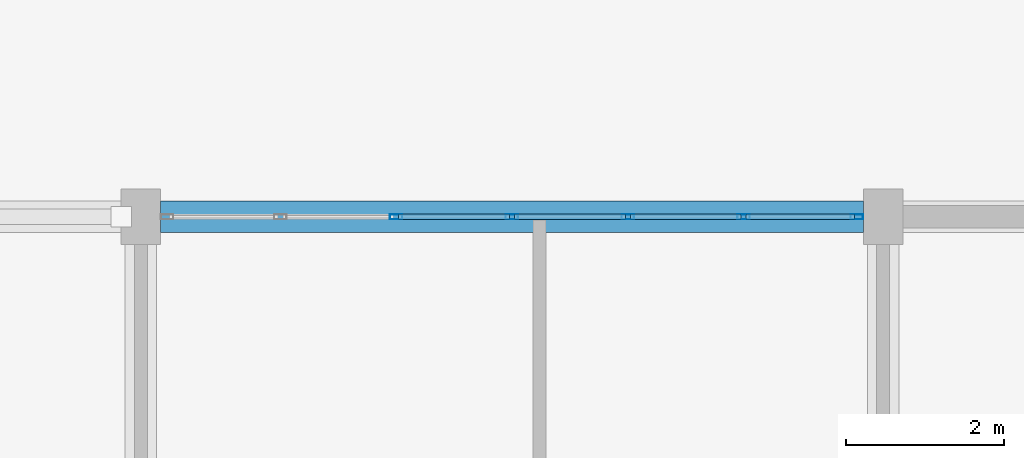
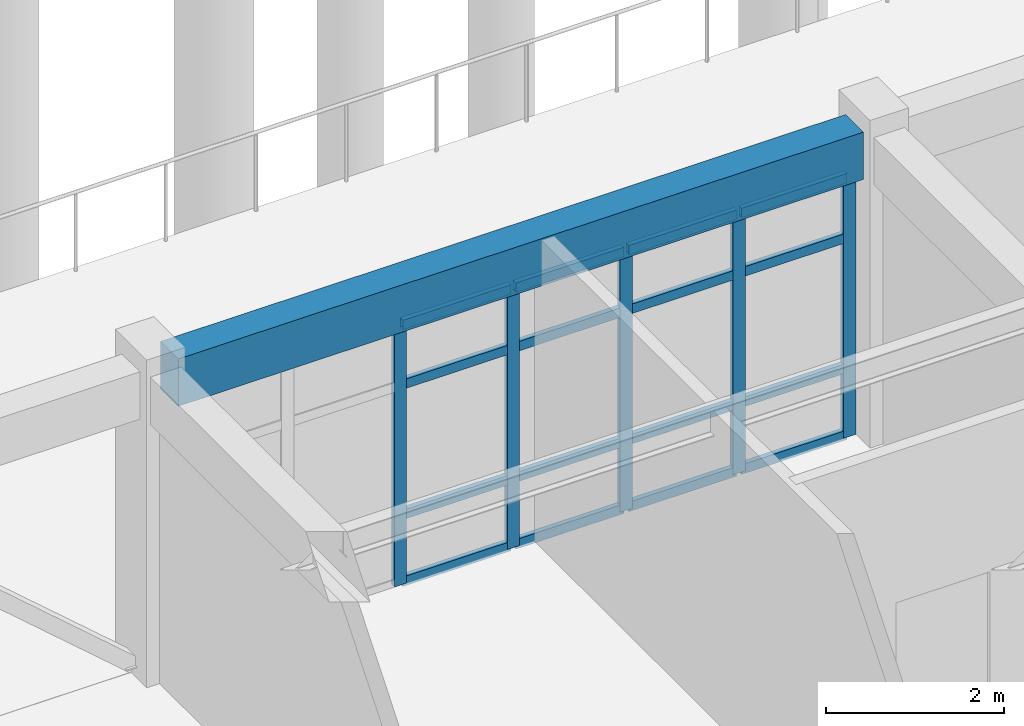
# One storey, part 44 of 154: 21 members, 1 beam, 1 element without a shape of its own.
"""IFC4 building model written with IfcOpenShell, lengths in metres."""

from ifc_helpers import new_model, si_unit, direction, frame, origin, origin_2d, place, context, subcontext, project, spatial, rectangle, hollow_rectangle, extrude, material, material_profile, profile_set, type_object, element, aggregate, save


model = new_model("IFC4")

# Units and contexts
model_context = context("Model", 3, precision=1e-05, world=origin(), true_north=direction((0.0, 1.0)))
body_context = subcontext(model_context, "Body", "Model", "MODEL_VIEW")
ifc_project = project(units=[si_unit("LENGTHUNIT", "METRE"), si_unit("AREAUNIT", "SQUARE_METRE"), si_unit("VOLUMEUNIT", "CUBIC_METRE"), si_unit("PLANEANGLEUNIT", "RADIAN"), si_unit("MASSUNIT", "GRAM", prefix="KILO")], contexts=[model_context])

# Site, building, storey
site_placement = place(None, origin())
site = spatial("IfcSite", under=ifc_project, at=site_placement, CompositionType="ELEMENT")
building_placement = place(site_placement, origin())
building = spatial("IfcBuilding", under=site, at=building_placement, Name="Kestramere Prow Commons", CompositionType="ELEMENT")
storey_placement = place(building_placement, origin())
storey = spatial("IfcBuildingStorey", under=building, at=storey_placement, Name="L00", CompositionType="ELEMENT", Elevation=0.0)

# Beam
ifc_material_1 = material(Name="Precast concrete C40/50", Category="concrete")
ifc_material_profile_1 = material_profile(ifc_material_1, rectangle(XDim=0.39990234375, YDim=0.64990234375, at=origin_2d()), Name="PC-BM 400x650")
ifc_profile_set_1 = profile_set([ifc_material_profile_1], Name="Precast concrete C40/50")
beam_type = type_object("IfcBeamType", Name="BM-MK-01 PC-BM 400x650 (EX)", PredefinedType="BEAM", material=ifc_profile_set_1)
beam_placement = place(storey_placement, frame((94.449951171875, 24.0, 3.925048828125), z_axis=(1.0, 0.0, 0.0), x_axis=(0.0, 1.0, 0.0)))
element("IfcBeam", 1, at=beam_placement, inside=storey, type_object=beam_type, Name="Market Spine L00 Beam X 3-5", PredefinedType="BEAM", context=body_context, shape_type="SweptSolid", body=[
    extrude(rectangle(XDim=0.39990234375, YDim=0.64990234375, at=origin_2d()), origin(), (0.0, 0.0, 1.0), 8.900146484375),
])

# Curtain wall, members
ifc_material_2 = material(Name="Anodised Aluminium and Low-E Glass", Category="aluminium")
curtain_wall_type = type_object("IfcCurtainWallType", Name="CW-22 Glazed Curtain Wall 8800x3590", PredefinedType="USERDEFINED", material=ifc_material_2)
curtain_wall_placement = place(storey_placement, origin())
curtain_wall = element("IfcCurtainWall", 2, at=curtain_wall_placement, inside=storey, type_object=curtain_wall_type, Name="Market L00 Courtyard Shopfront 5", ObjectType="GLAZED CURTAIN WALL", PredefinedType="USERDEFINED")
ifc_material_3 = material(Name="Anodised Aluminium 6063-T6", Category="aluminium")
ifc_material_profile_2 = material_profile(ifc_material_3, hollow_rectangle(XDim=0.06494140625, YDim=0.159912109375, WallThickness=0.00390625, at=origin_2d()), Name="ALU-MUL 65x160")
ifc_profile_set_2 = profile_set([ifc_material_profile_2], Name="Anodised Aluminium 6063-T6")
member_type_1 = type_object("IfcMemberType", Name="CW-MUL-65x160", PredefinedType="MULLION", material=ifc_profile_set_2)
member_1_placement = place(storey_placement, frame((97.433349609375, 24.0, 0.0), z_axis=(0.0, 0.0, 1.0), x_axis=(0.0, 1.0, 0.0)))
member_1 = element("IfcMember", 3, at=member_1_placement, type_object=member_type_1, Name="CW-22 mullion 3", PredefinedType="MULLION", context=body_context, shape_type="SweptSolid", body=[
    extrude(hollow_rectangle(XDim=0.06494140625, YDim=0.159912109375, WallThickness=0.00390625, at=origin_2d()), origin(), (0.0, 0.0, 1.0), 3.590087890625),
])
member_2_placement = place(storey_placement, frame((98.89990234375, 24.0, 0.0), z_axis=(0.0, 0.0, 1.0), x_axis=(0.0, 1.0, 0.0)))
member_2 = element("IfcMember", 4, at=member_2_placement, type_object=member_type_1, Name="CW-22 mullion 4", PredefinedType="MULLION", context=body_context, shape_type="SweptSolid", body=[
    extrude(hollow_rectangle(XDim=0.06494140625, YDim=0.159912109375, WallThickness=0.00390625, at=origin_2d()), origin(), (0.0, 0.0, 1.0), 3.590087890625),
])
member_3_placement = place(storey_placement, frame((100.36669921875, 24.0, 0.0), z_axis=(0.0, 0.0, 1.0), x_axis=(0.0, 1.0, 0.0)))
member_3 = element("IfcMember", 5, at=member_3_placement, type_object=member_type_1, Name="CW-22 mullion 5", PredefinedType="MULLION", context=body_context, shape_type="SweptSolid", body=[
    extrude(hollow_rectangle(XDim=0.06494140625, YDim=0.159912109375, WallThickness=0.00390625, at=origin_2d()), origin(), (0.0, 0.0, 1.0), 3.590087890625),
])
member_4_placement = place(storey_placement, frame((101.833251953125, 24.0, 0.0), z_axis=(0.0, 0.0, 1.0), x_axis=(0.0, 1.0, 0.0)))
member_4 = element("IfcMember", 6, at=member_4_placement, type_object=member_type_1, Name="CW-22 mullion 6", PredefinedType="MULLION", context=body_context, shape_type="SweptSolid", body=[
    extrude(hollow_rectangle(XDim=0.06494140625, YDim=0.159912109375, WallThickness=0.00390625, at=origin_2d()), origin(), (0.0, 0.0, 1.0), 3.590087890625),
])
member_5_placement = place(storey_placement, frame((103.267578125, 24.0, 0.0), z_axis=(0.0, 0.0, 1.0), x_axis=(0.0, 1.0, 0.0)))
member_5 = element("IfcMember", 7, at=member_5_placement, type_object=member_type_1, Name="CW-22 mullion 7", PredefinedType="MULLION", context=body_context, shape_type="SweptSolid", body=[
    extrude(hollow_rectangle(XDim=0.06494140625, YDim=0.159912109375, WallThickness=0.00390625, at=origin_2d()), origin(), (0.0, 0.0, 1.0), 3.590087890625),
])
ifc_material_profile_3 = material_profile(ifc_material_3, hollow_rectangle(XDim=0.06494140625, YDim=0.1298828125, WallThickness=0.00390625, at=origin_2d()), Name="ALU-TRN 65x130")
ifc_profile_set_3 = profile_set([ifc_material_profile_3], Name="Anodised Aluminium 6063-T6")
member_type_2 = type_object("IfcMemberType", Name="CW-TRN-65x130", PredefinedType="USERDEFINED", material=ifc_profile_set_3)
member_6_placement = place(storey_placement, frame((97.4658203125, 24.0, 0.032470703125), z_axis=(1.0, 0.0, 0.0), x_axis=(0.0, 1.0, 0.0)))
member_6 = element("IfcMember", 8, at=member_6_placement, type_object=member_type_2, Name="CW-22 transom 3.1", ObjectType="TRANSOM", PredefinedType="USERDEFINED", context=body_context, shape_type="SweptSolid", body=[
    extrude(hollow_rectangle(XDim=0.06494140625, YDim=0.1298828125, WallThickness=0.00390625, at=origin_2d()), origin(), (0.0, 0.0, 1.0), 1.401611328125),
])
member_7_placement = place(storey_placement, frame((97.4658203125, 24.0, 0.949951171875), z_axis=(1.0, 0.0, 0.0), x_axis=(0.0, 1.0, 0.0)))
member_7 = element("IfcMember", 9, at=member_7_placement, type_object=member_type_2, Name="CW-22 transom 3.2", ObjectType="TRANSOM", PredefinedType="USERDEFINED", context=body_context, shape_type="SweptSolid", body=[
    extrude(hollow_rectangle(XDim=0.06494140625, YDim=0.1298828125, WallThickness=0.00390625, at=origin_2d()), origin(), (0.0, 0.0, 1.0), 1.401611328125),
])
member_8_placement = place(storey_placement, frame((97.4658203125, 24.0, 2.739990234375), z_axis=(1.0, 0.0, 0.0), x_axis=(0.0, 1.0, 0.0)))
member_8 = element("IfcMember", 10, at=member_8_placement, type_object=member_type_2, Name="CW-22 transom 3.3", ObjectType="TRANSOM", PredefinedType="USERDEFINED", context=body_context, shape_type="SweptSolid", body=[
    extrude(hollow_rectangle(XDim=0.06494140625, YDim=0.1298828125, WallThickness=0.00390625, at=origin_2d()), origin(), (0.0, 0.0, 1.0), 1.401611328125),
])
member_9_placement = place(storey_placement, frame((97.4658203125, 24.0, 3.5576171875), z_axis=(1.0, 0.0, 0.0), x_axis=(0.0, 1.0, 0.0)))
member_9 = element("IfcMember", 11, at=member_9_placement, type_object=member_type_2, Name="CW-22 transom 3.4", ObjectType="TRANSOM", PredefinedType="USERDEFINED", context=body_context, shape_type="SweptSolid", body=[
    extrude(hollow_rectangle(XDim=0.06494140625, YDim=0.1298828125, WallThickness=0.00390625, at=origin_2d()), origin(), (0.0, 0.0, 1.0), 1.401611328125),
])
member_10_placement = place(storey_placement, frame((98.9326171875, 24.0, 0.032470703125), z_axis=(1.0, 0.0, 0.0), x_axis=(0.0, 1.0, 0.0)))
member_10 = element("IfcMember", 12, at=member_10_placement, type_object=member_type_2, Name="CW-22 transom 4.1", ObjectType="TRANSOM", PredefinedType="USERDEFINED", context=body_context, shape_type="SweptSolid", body=[
    extrude(hollow_rectangle(XDim=0.06494140625, YDim=0.1298828125, WallThickness=0.00390625, at=origin_2d()), origin(), (0.0, 0.0, 1.0), 1.401611328125),
])
member_11_placement = place(storey_placement, frame((98.9326171875, 24.0, 0.949951171875), z_axis=(1.0, 0.0, 0.0), x_axis=(0.0, 1.0, 0.0)))
member_11 = element("IfcMember", 13, at=member_11_placement, type_object=member_type_2, Name="CW-22 transom 4.2", ObjectType="TRANSOM", PredefinedType="USERDEFINED", context=body_context, shape_type="SweptSolid", body=[
    extrude(hollow_rectangle(XDim=0.06494140625, YDim=0.1298828125, WallThickness=0.00390625, at=origin_2d()), origin(), (0.0, 0.0, 1.0), 1.401611328125),
])
member_12_placement = place(storey_placement, frame((98.9326171875, 24.0, 2.739990234375), z_axis=(1.0, 0.0, 0.0), x_axis=(0.0, 1.0, 0.0)))
member_12 = element("IfcMember", 14, at=member_12_placement, type_object=member_type_2, Name="CW-22 transom 4.3", ObjectType="TRANSOM", PredefinedType="USERDEFINED", context=body_context, shape_type="SweptSolid", body=[
    extrude(hollow_rectangle(XDim=0.06494140625, YDim=0.1298828125, WallThickness=0.00390625, at=origin_2d()), origin(), (0.0, 0.0, 1.0), 1.401611328125),
])
member_13_placement = place(storey_placement, frame((98.9326171875, 24.0, 3.5576171875), z_axis=(1.0, 0.0, 0.0), x_axis=(0.0, 1.0, 0.0)))
member_13 = element("IfcMember", 15, at=member_13_placement, type_object=member_type_2, Name="CW-22 transom 4.4", ObjectType="TRANSOM", PredefinedType="USERDEFINED", context=body_context, shape_type="SweptSolid", body=[
    extrude(hollow_rectangle(XDim=0.06494140625, YDim=0.1298828125, WallThickness=0.00390625, at=origin_2d()), origin(), (0.0, 0.0, 1.0), 1.401611328125),
])
member_14_placement = place(storey_placement, frame((100.399169921875, 24.0, 0.032470703125), z_axis=(1.0, 0.0, 0.0), x_axis=(0.0, 1.0, 0.0)))
member_14 = element("IfcMember", 16, at=member_14_placement, type_object=member_type_2, Name="CW-22 transom 5.1", ObjectType="TRANSOM", PredefinedType="USERDEFINED", context=body_context, shape_type="SweptSolid", body=[
    extrude(hollow_rectangle(XDim=0.06494140625, YDim=0.1298828125, WallThickness=0.00390625, at=origin_2d()), origin(), (0.0, 0.0, 1.0), 1.401611328125),
])
member_15_placement = place(storey_placement, frame((100.399169921875, 24.0, 0.949951171875), z_axis=(1.0, 0.0, 0.0), x_axis=(0.0, 1.0, 0.0)))
member_15 = element("IfcMember", 17, at=member_15_placement, type_object=member_type_2, Name="CW-22 transom 5.2", ObjectType="TRANSOM", PredefinedType="USERDEFINED", context=body_context, shape_type="SweptSolid", body=[
    extrude(hollow_rectangle(XDim=0.06494140625, YDim=0.1298828125, WallThickness=0.00390625, at=origin_2d()), origin(), (0.0, 0.0, 1.0), 1.401611328125),
])
member_16_placement = place(storey_placement, frame((100.399169921875, 24.0, 2.739990234375), z_axis=(1.0, 0.0, 0.0), x_axis=(0.0, 1.0, 0.0)))
member_16 = element("IfcMember", 18, at=member_16_placement, type_object=member_type_2, Name="CW-22 transom 5.3", ObjectType="TRANSOM", PredefinedType="USERDEFINED", context=body_context, shape_type="SweptSolid", body=[
    extrude(hollow_rectangle(XDim=0.06494140625, YDim=0.1298828125, WallThickness=0.00390625, at=origin_2d()), origin(), (0.0, 0.0, 1.0), 1.401611328125),
])
member_17_placement = place(storey_placement, frame((100.399169921875, 24.0, 3.5576171875), z_axis=(1.0, 0.0, 0.0), x_axis=(0.0, 1.0, 0.0)))
member_17 = element("IfcMember", 19, at=member_17_placement, type_object=member_type_2, Name="CW-22 transom 5.4", ObjectType="TRANSOM", PredefinedType="USERDEFINED", context=body_context, shape_type="SweptSolid", body=[
    extrude(hollow_rectangle(XDim=0.06494140625, YDim=0.1298828125, WallThickness=0.00390625, at=origin_2d()), origin(), (0.0, 0.0, 1.0), 1.401611328125),
])
member_18_placement = place(storey_placement, frame((101.86572265625, 24.0, 0.032470703125), z_axis=(1.0, 0.0, 0.0), x_axis=(0.0, 1.0, 0.0)))
member_18 = element("IfcMember", 20, at=member_18_placement, type_object=member_type_2, Name="CW-22 transom 6.1", ObjectType="TRANSOM", PredefinedType="USERDEFINED", context=body_context, shape_type="SweptSolid", body=[
    extrude(hollow_rectangle(XDim=0.06494140625, YDim=0.1298828125, WallThickness=0.00390625, at=origin_2d()), origin(), (0.0, 0.0, 1.0), 1.369384765625),
])
member_19_placement = place(storey_placement, frame((101.86572265625, 24.0, 0.949951171875), z_axis=(1.0, 0.0, 0.0), x_axis=(0.0, 1.0, 0.0)))
member_19 = element("IfcMember", 21, at=member_19_placement, type_object=member_type_2, Name="CW-22 transom 6.2", ObjectType="TRANSOM", PredefinedType="USERDEFINED", context=body_context, shape_type="SweptSolid", body=[
    extrude(hollow_rectangle(XDim=0.06494140625, YDim=0.1298828125, WallThickness=0.00390625, at=origin_2d()), origin(), (0.0, 0.0, 1.0), 1.369384765625),
])
member_20_placement = place(storey_placement, frame((101.86572265625, 24.0, 2.739990234375), z_axis=(1.0, 0.0, 0.0), x_axis=(0.0, 1.0, 0.0)))
member_20 = element("IfcMember", 22, at=member_20_placement, type_object=member_type_2, Name="CW-22 transom 6.3", ObjectType="TRANSOM", PredefinedType="USERDEFINED", context=body_context, shape_type="SweptSolid", body=[
    extrude(hollow_rectangle(XDim=0.06494140625, YDim=0.1298828125, WallThickness=0.00390625, at=origin_2d()), origin(), (0.0, 0.0, 1.0), 1.369384765625),
])
member_21_placement = place(storey_placement, frame((101.86572265625, 24.0, 3.5576171875), z_axis=(1.0, 0.0, 0.0), x_axis=(0.0, 1.0, 0.0)))
member_21 = element("IfcMember", 23, at=member_21_placement, type_object=member_type_2, Name="CW-22 transom 6.4", ObjectType="TRANSOM", PredefinedType="USERDEFINED", context=body_context, shape_type="SweptSolid", body=[
    extrude(hollow_rectangle(XDim=0.06494140625, YDim=0.1298828125, WallThickness=0.00390625, at=origin_2d()), origin(), (0.0, 0.0, 1.0), 1.369384765625),
])
aggregate(curtain_wall, [member_1, member_2, member_3, member_4, member_5, member_6, member_7, member_8, member_9, member_10, member_11, member_12, member_13, member_14, member_15, member_16, member_17, member_18, member_19, member_20, member_21])

save(model, "model.ifc")
